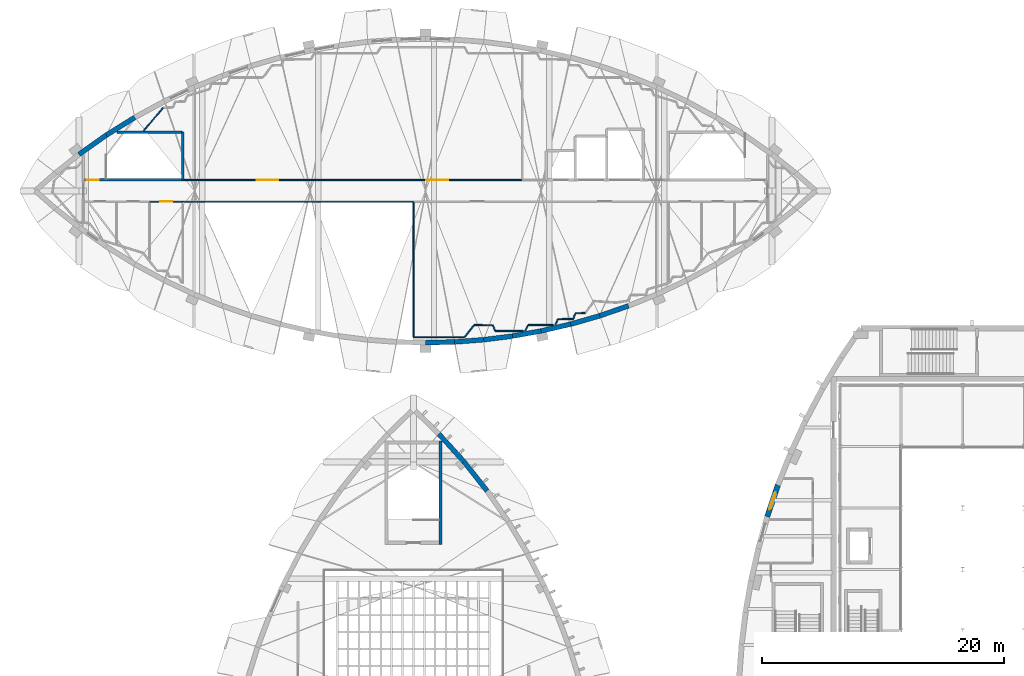
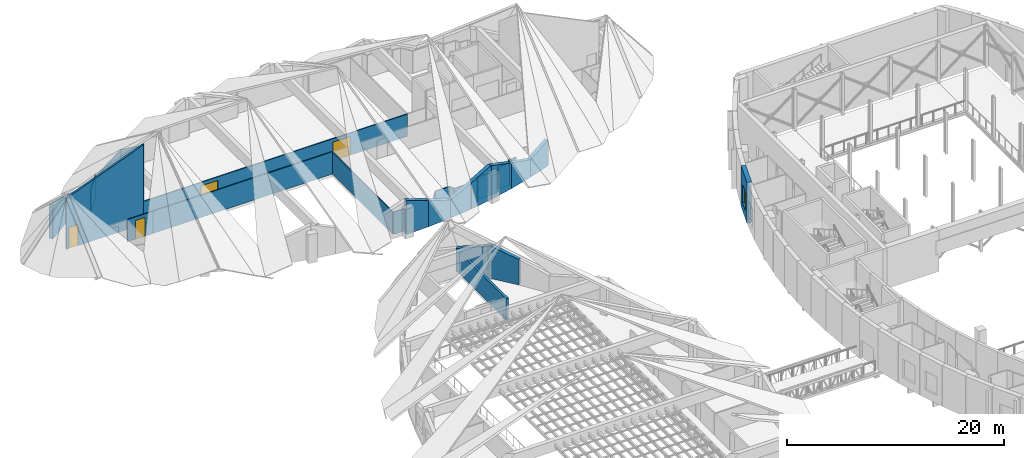
# One storey, part 39 of 56: 32 walls, 4 doors, 1 window, 5 openings.
"""IFC4 building model written with IfcOpenShell, lengths in metres."""

from ifc_helpers import new_model, si_unit, direction, frame, frame_2d, origin, place, context, subcontext, project, spatial, polyline, rectangle, outline, extrude, material, layer, layer_set, type_object, element, fill, save


model = new_model("IFC4")

# Units and contexts
model_context = context("Model", 3, precision=1e-05, world=origin(), true_north=direction((0.0, 1.0)))
body_context = subcontext(model_context, "Body", "Model", "MODEL_VIEW")
ifc_project = project(units=[si_unit("LENGTHUNIT", "METRE"), si_unit("AREAUNIT", "SQUARE_METRE"), si_unit("VOLUMEUNIT", "CUBIC_METRE"), si_unit("PLANEANGLEUNIT", "RADIAN"), si_unit("MASSUNIT", "GRAM", prefix="KILO")], contexts=[model_context])

# Site, building, storey
site_placement = place(None, origin())
site = spatial("IfcSite", under=ifc_project, at=site_placement, CompositionType="ELEMENT")
building_placement = place(site_placement, origin())
building = spatial("IfcBuilding", under=site, at=building_placement, Name="Tide Square Theatres", CompositionType="ELEMENT")
storey_placement = place(building_placement, frame((0.0, 0.0, 10.199951171875)))
storey = spatial("IfcBuildingStorey", under=building, at=storey_placement, Name="L02", CompositionType="ELEMENT", Elevation=10.199951171875)

# Wall
ifc_material_1 = material(Name="Gypsum board on steel studs", Category="steel")
ifc_layer_1 = layer(ifc_material_1, 0.10009765625)
ifc_layer_set_1 = layer_set([ifc_layer_1], Name="Gypsum board on steel studs")
wall_type_1 = type_object("IfcWallType", Name="Partition 100 thick", PredefinedType="PARTITIONING", material=ifc_layer_set_1)
wall_1_placement = place(storey_placement, frame((13.67529296875, 102.768310546875, 0.0), z_axis=(0.0, 0.0, 1.0), x_axis=(0.646433781993, 0.76297009476, 0.0)))
element("IfcWall", 1, at=wall_1_placement, inside=storey, type_object=wall_type_1, Name="Scenery Workshops partition", PredefinedType="PARTITIONING", context=body_context, shape_type="SweptSolid", body=[
    extrude(rectangle(XDim=2.492919921875, YDim=0.10009765625, at=frame_2d((1.24658203125, 0.0))), origin(), (0.0, 0.0, 1.0), 2.5),
])

# Wall, opening, door
wall_2_placement = place(storey_placement, frame((16.89990234375, 96.89990234375, 0.0), z_axis=(0.0, 0.0, 1.0), x_axis=(-1.0, 0.0, 0.0)))
wall_2 = element("IfcWall", 2, at=wall_2_placement, inside=storey, type_object=wall_type_1, Name="Scenery Workshops partition", PredefinedType="PARTITIONING", context=body_context, shape_type="SweptSolid", body=[
    extrude(rectangle(XDim=2.733154296875, YDim=0.10009765625, at=frame_2d((1.36669921875, 0.0))), origin(), (0.0, 0.0, 1.0), 2.5),
])
opening_1_placement = place(wall_2_placement, frame((0.86669921875, 0.0, 0.0)))
opening_1 = element("IfcOpeningElement", 3, at=opening_1_placement, cuts=wall_2, Name="Opening W2-03", PredefinedType="OPENING", context=body_context, shape_type="SweptSolid", body=[
    extrude(rectangle(XDim=1.0, YDim=2.10009765625, at=frame_2d((0.5, 1.050048828125))), frame((0.0, 0.06005859375, 0.0), z_axis=(0.0, -1.0, 0.0), x_axis=(1.0, 0.0, 0.0)), (0.0, 0.0, 1.0), 0.1201171875),
])
ifc_material_2 = material(Name="Hardwood timber", Category="wood")
door_type_1 = type_object("IfcDoorType", Name="Door 1000 x 2100 single leaf", OperationType="NOTDEFINED", PredefinedType="DOOR", material=ifc_material_2)
door_1_placement = place(opening_1_placement, origin())
door_1 = element("IfcDoor", 4, at=door_1_placement, inside=storey, type_object=door_type_1, Name="Scenery Workshops door W2-03 to Accessible WC W", OperationType="SINGLE_SWING_RIGHT", OverallHeight=2.10009765625, OverallWidth=1.0, PredefinedType="DOOR", context=body_context, shape_type="SweptSolid", body=[
    extrude(rectangle(XDim=1.0, YDim=2.10009765625, at=frame_2d((0.5, 1.050048828125))), frame((0.0, 0.02490234375, 0.0), z_axis=(0.0, -1.0, 0.0), x_axis=(1.0, 0.0, 0.0)), (0.0, 0.0, 1.0), 0.050048828125),
])
fill(opening_1, door_1)

# Wall
wall_3_placement = place(storey_placement, frame((36.0, 96.89990234375, 0.0), z_axis=(0.0, 0.0, 1.0), x_axis=(-1.0, 0.0, 0.0)))
element("IfcWall", 5, at=wall_3_placement, inside=storey, type_object=wall_type_1, Name="Scenery Workshops partition", PredefinedType="PARTITIONING", context=body_context, shape_type="SweptSolid", body=[
    extrude(rectangle(XDim=19.10009765625, YDim=0.10009765625, at=frame_2d((9.550048828125, 0.0))), origin(), (0.0, 0.0, 1.0), 2.5),
])

# Wall, openings, doors
wall_4_placement = place(storey_placement, frame((16.929931640625, 98.699951171875, 0.0), z_axis=(0.0, 0.0, 1.0), x_axis=(1.0, 0.0, 0.0)))
wall_4 = element("IfcWall", 6, at=wall_4_placement, inside=storey, type_object=wall_type_1, Name="Scenery Workshops partition", PredefinedType="PARTITIONING", context=body_context, shape_type="SweptSolid", body=[
    extrude(rectangle(XDim=28.070068359375, YDim=0.10009765625, at=frame_2d((14.03515625, 0.0))), origin(), (0.0, 0.0, 1.0), 2.5),
])
opening_2_placement = place(wall_4_placement, frame((20.14501953125, 0.0, 0.0)))
opening_2 = element("IfcOpeningElement", 7, at=opening_2_placement, cuts=wall_4, Name="Opening W2-11", PredefinedType="OPENING", context=body_context, shape_type="SweptSolid", body=[
    extrude(rectangle(XDim=1.800048828125, YDim=2.10009765625, at=frame_2d((0.89990234375, 1.050048828125))), frame((0.0, 0.06005859375, 0.0), z_axis=(0.0, -1.0, 0.0), x_axis=(1.0, 0.0, 0.0)), (0.0, 0.0, 1.0), 0.1201171875),
])
opening_3_placement = place(wall_4_placement, frame((6.094970703125, 0.0, 0.0)))
opening_3 = element("IfcOpeningElement", 8, at=opening_3_placement, cuts=wall_4, Name="Opening W2-12", PredefinedType="OPENING", context=body_context, shape_type="SweptSolid", body=[
    extrude(rectangle(XDim=1.800048828125, YDim=2.10009765625, at=frame_2d((0.89990234375, 1.050048828125))), frame((0.0, 0.06005859375, 0.0), z_axis=(0.0, -1.0, 0.0), x_axis=(1.0, 0.0, 0.0)), (0.0, 0.0, 1.0), 0.1201171875),
])
ifc_material_3 = material(Name="Hardwood timber", Category="wood")
door_type_2 = type_object("IfcDoorType", Name="Door 1800 x 2100 double leaf", OperationType="DOUBLE_DOOR_SINGLE_SWING", PredefinedType="DOOR", material=ifc_material_3)
door_2_placement = place(opening_2_placement, origin())
door_2 = element("IfcDoor", 9, at=door_2_placement, inside=storey, type_object=door_type_2, Name="Scenery Workshops door W2-11 to Workshop Offices", OperationType="DOUBLE_DOOR_SINGLE_SWING", OverallHeight=2.10009765625, OverallWidth=1.800048828125, PredefinedType="DOOR", context=body_context, shape_type="SweptSolid", body=[
    extrude(rectangle(XDim=1.800048828125, YDim=2.10009765625, at=frame_2d((0.89990234375, 1.050048828125))), frame((0.0, 0.02490234375, 0.0), z_axis=(0.0, -1.0, 0.0), x_axis=(1.0, 0.0, 0.0)), (0.0, 0.0, 1.0), 0.050048828125),
])
fill(opening_2, door_2)
door_3_placement = place(opening_3_placement, origin())
door_3 = element("IfcDoor", 10, at=door_3_placement, inside=storey, type_object=door_type_2, Name="Scenery Workshops door W2-12 to Workshop Offices", OperationType="DOUBLE_DOOR_SINGLE_SWING", OverallHeight=2.10009765625, OverallWidth=1.800048828125, PredefinedType="DOOR", context=body_context, shape_type="SweptSolid", body=[
    extrude(rectangle(XDim=1.800048828125, YDim=2.10009765625, at=frame_2d((0.89990234375, 1.050048828125))), frame((0.0, 0.02490234375, 0.0), z_axis=(0.0, -1.0, 0.0), x_axis=(1.0, 0.0, 0.0)), (0.0, 0.0, 1.0), 0.050048828125),
])
fill(opening_3, door_3)

# Walls
wall_5_placement = place(storey_placement, frame((45.10302734375, 86.191650390625, 0.0), z_axis=(0.0, 0.0, 1.0), x_axis=(-0.999999994476, -0.000105108261, 0.0)))
element("IfcWall", 11, at=wall_5_placement, inside=storey, type_object=wall_type_1, Name="Scenery Workshops partition", PredefinedType="PARTITIONING", context=body_context, shape_type="SweptSolid", body=[
    extrude(rectangle(XDim=2.32275390625, YDim=0.10009765625, at=frame_2d((1.161376953125, 0.0))), origin(), (0.0, 0.0, 1.0), 2.5),
])
wall_6_placement = place(storey_placement, frame((42.76806640625, 86.21875, 0.0), z_axis=(0.0, 0.0, 1.0), x_axis=(-0.411833069316, 0.911259306135, 0.0)))
element("IfcWall", 12, at=wall_6_placement, inside=storey, type_object=wall_type_1, Name="Scenery Workshops partition", PredefinedType="PARTITIONING", context=body_context, shape_type="SweptSolid", body=[
    extrude(rectangle(XDim=0.50439453125, YDim=0.10009765625, at=frame_2d((0.252197265625, 0.0))), origin(), (0.0, 0.0, 1.0), 2.5),
])
wall_7_placement = place(storey_placement, frame((42.5302734375, 86.6787109375, 0.0), z_axis=(0.0, 0.0, 1.0), x_axis=(-0.999965662158, 0.00828700825, 0.0)))
element("IfcWall", 13, at=wall_7_placement, inside=storey, type_object=wall_type_1, Name="Scenery Workshops partition", PredefinedType="PARTITIONING", context=body_context, shape_type="SweptSolid", body=[
    extrude(rectangle(XDim=1.50244140625, YDim=0.10009765625, at=frame_2d((0.751220703125, 0.0))), origin(), (0.0, 0.0, 1.0), 2.5),
])
wall_8_placement = place(storey_placement, frame((41.009033203125, 86.667724609375, 0.0), z_axis=(0.0, 0.0, 1.0), x_axis=(-0.626073613346, -0.779763958305, 0.0)))
element("IfcWall", 14, at=wall_8_placement, inside=storey, type_object=wall_type_1, Name="Scenery Workshops partition", PredefinedType="PARTITIONING", context=body_context, shape_type="SweptSolid", body=[
    extrude(rectangle(XDim=1.251708984375, YDim=0.10009765625, at=frame_2d((0.6259765625, 0.0))), origin(), (0.0, 0.0, 1.0), 2.5),
])
wall_9_placement = place(storey_placement, frame((40.205078125, 85.691650390625, 0.0), z_axis=(0.0, 0.0, 1.0), x_axis=(-0.999999998315, -5.8058523e-05, 0.0)))
element("IfcWall", 15, at=wall_9_placement, inside=storey, type_object=wall_type_1, Name="Scenery Workshops partition", PredefinedType="PARTITIONING", context=body_context, shape_type="SweptSolid", body=[
    extrude(rectangle(XDim=4.205078125, YDim=0.10009765625, at=frame_2d((2.1025390625, 0.0))), origin(), (0.0, 0.0, 1.0), 2.5),
])
wall_10_placement = place(storey_placement, frame((36.0, 96.8701171875, 0.0), z_axis=(0.0, 0.0, 1.0), x_axis=(0.0, -1.0, 0.0)))
element("IfcWall", 16, at=wall_10_placement, inside=storey, type_object=wall_type_1, Name="Scenery Workshops partition", PredefinedType="PARTITIONING", context=body_context, shape_type="SweptSolid", body=[
    extrude(rectangle(XDim=11.138671875, YDim=0.10009765625, at=frame_2d((5.5693359375, 0.0))), origin(), (0.0, 0.0, 1.0), 2.5),
])
wall_11_placement = place(storey_placement, frame((47.585693359375, 86.691162109375, 0.0), z_axis=(0.0, 0.0, 1.0), x_axis=(-0.999996746163, -0.002551012108, 0.0)))
element("IfcWall", 17, at=wall_11_placement, inside=storey, type_object=wall_type_1, Name="Scenery Workshops partition", PredefinedType="PARTITIONING", context=body_context, shape_type="SweptSolid", body=[
    extrude(rectangle(XDim=2.10546875, YDim=0.10009765625, at=frame_2d((1.052734375, 0.0))), origin(), (0.0, 0.0, 1.0), 2.5),
])
wall_12_placement = place(storey_placement, frame((45.466552734375, 86.658935546875, 0.0), z_axis=(0.0, 0.0, 1.0), x_axis=(-0.450757019531, -0.892646687858, 0.0)))
element("IfcWall", 18, at=wall_12_placement, inside=storey, type_object=wall_type_1, Name="Scenery Workshops partition", PredefinedType="PARTITIONING", context=body_context, shape_type="SweptSolid", body=[
    extrude(rectangle(XDim=0.49560546875, YDim=0.10009765625, at=frame_2d((0.247802734375, 0.0))), origin(), (0.0, 0.0, 1.0), 2.5),
])
wall_13_placement = place(storey_placement, frame((50.197021484375, 87.691162109375, 0.0), z_axis=(0.0, 0.0, 1.0), x_axis=(-0.999045756938, -0.043675800441, 0.0)))
element("IfcWall", 19, at=wall_13_placement, inside=storey, type_object=wall_type_1, Name="Scenery Workshops partition", PredefinedType="PARTITIONING", context=body_context, shape_type="SweptSolid", body=[
    extrude(rectangle(XDim=0.79931640625, YDim=0.10009765625, at=frame_2d((0.399658203125, 0.0))), origin(), (0.0, 0.0, 1.0), 2.5),
])
wall_14_placement = place(storey_placement, frame((49.388427734375, 87.6279296875, 0.0), z_axis=(0.0, 0.0, 1.0), x_axis=(-0.333123863298, -0.942883074247, 0.0)))
element("IfcWall", 20, at=wall_14_placement, inside=storey, type_object=wall_type_1, Name="Scenery Workshops partition", PredefinedType="PARTITIONING", context=body_context, shape_type="SweptSolid", body=[
    extrude(rectangle(XDim=0.46240234375, YDim=0.10009765625, at=frame_2d((0.231201171875, 0.0))), origin(), (0.0, 0.0, 1.0), 2.5),
])
wall_15_placement = place(storey_placement, frame((49.204345703125, 87.19140625, 0.0), z_axis=(0.0, 0.0, 1.0), x_axis=(-0.999948630127, -0.010135931533, 0.0)))
element("IfcWall", 21, at=wall_15_placement, inside=storey, type_object=wall_type_1, Name="Scenery Workshops partition", PredefinedType="PARTITIONING", context=body_context, shape_type="SweptSolid", body=[
    extrude(rectangle(XDim=1.25244140625, YDim=0.10009765625, at=frame_2d((0.626220703125, 0.0))), origin(), (0.0, 0.0, 1.0), 2.5),
])
wall_16_placement = place(storey_placement, frame((47.939453125, 87.1513671875, 0.0), z_axis=(0.0, 0.0, 1.0), x_axis=(-0.411459676495, -0.91142796458, 0.0)))
element("IfcWall", 22, at=wall_16_placement, inside=storey, type_object=wall_type_1, Name="Scenery Workshops partition", PredefinedType="PARTITIONING", context=body_context, shape_type="SweptSolid", body=[
    extrude(rectangle(XDim=0.46337890625, YDim=0.10009765625, at=frame_2d((0.231689453125, 0.0))), origin(), (0.0, 0.0, 1.0), 2.5),
])
ifc_material_4 = material(Name="Concrete C40", Category="concrete")
ifc_layer_2 = layer(ifc_material_4, 0.39990234375)
ifc_layer_set_2 = layer_set([ifc_layer_2], Name="Concrete C40")
wall_type_2 = type_object("IfcWallType", Name="RC curved wall 400 thick", PredefinedType="SOLIDWALL", material=ifc_layer_set_2)
wall_17_placement = place(storey_placement, frame((42.08984375, 72.968994140625, 0.0), z_axis=(0.0, 0.0, 1.0), x_axis=(-0.620958553355, 0.783843399548, 0.0)))
element("IfcWall", 23, at=wall_17_placement, inside=storey, type_object=wall_type_2, Name="Studio Theatre perimeter wall", PredefinedType="SOLIDWALL", context=body_context, shape_type="SweptSolid", body=[
    extrude(outline(polyline([(0.0, 0.0), (3.0576171875, 0.0), (3.0576171875, 3.554931640625), (3.044189453125, 3.56005859375), (2.885986328125, 3.690185546875), (2.727294921875, 3.643798828125), (0.339111328125, 2.94384765625), (0.0, 2.844482421875), (0.0, 0.0)])), frame((0.0, 0.199951171875, 0.0), z_axis=(0.0, -1.0, 0.0), x_axis=(1.0, 0.0, 0.0)), (0.0, 0.0, 1.0), 0.39990234375),
])
wall_18_placement = place(storey_placement, frame((40.182861328125, 75.37548828125, 0.0), z_axis=(0.0, 0.0, 1.0), x_axis=(-0.67038553216, 0.742012963681, 0.0)))
element("IfcWall", 24, at=wall_18_placement, inside=storey, type_object=wall_type_2, Name="Studio Theatre perimeter wall", PredefinedType="SOLIDWALL", context=body_context, shape_type="SweptSolid", body=[
    extrude(outline(polyline([(0.0, 0.0), (3.101806640625, 0.0), (3.1015625, 2.64990234375), (3.088134765625, 2.65380859375), (0.362548828125, 3.44140625), (0.181884765625, 3.49365234375), (0.0, 3.546142578125), (0.0, 0.0)])), frame((0.0, 0.199951171875, 0.0), z_axis=(0.0, -1.0, 0.0), x_axis=(1.0, 0.0, 0.0)), (0.0, 0.0, 1.0), 0.39990234375),
])
wall_19_placement = place(storey_placement, frame((37.0, 85.231201171875, 0.0), z_axis=(0.0, 0.0, 1.0), x_axis=(0.999683321759, 0.025164582196, 0.0)))
element("IfcWall", 25, at=wall_19_placement, inside=storey, type_object=wall_type_2, Name="Scenery Workshops perimeter wall 014", PredefinedType="SOLIDWALL", context=body_context, shape_type="SweptSolid", body=[
    extrude(outline(polyline([(0.0, 0.0), (2.406005859375, 0.0), (2.406005859375, 2.945068359375), (2.372802734375, 2.95751953125), (0.0625, 3.821533203125), (0.0, 3.844970703125), (0.0, 0.0)])), frame((0.0, 0.199951171875, 0.0), z_axis=(0.0, -1.0, 0.0), x_axis=(1.0, 0.0, 0.0)), (0.0, 0.0, 1.0), 0.39990234375),
])
wall_20_placement = place(storey_placement, frame((39.4052734375, 85.291748046875, 0.0), z_axis=(0.0, 0.0, 1.0), x_axis=(0.997146276918, 0.075493724435, 0.0)))
element("IfcWall", 26, at=wall_20_placement, inside=storey, type_object=wall_type_2, Name="Scenery Workshops perimeter wall 015", PredefinedType="SOLIDWALL", context=body_context, shape_type="SweptSolid", body=[
    extrude(outline(polyline([(0.0, 0.0), (2.406005859375, 0.0), (2.406005859375, 2.04052734375), (2.344970703125, 2.0634765625), (0.0, 2.94140625), (0.0, 0.0)])), frame((0.0, 0.199951171875, 0.0), z_axis=(0.0, -1.0, 0.0), x_axis=(1.0, 0.0, 0.0)), (0.0, 0.0, 1.0), 0.39990234375),
])
wall_21_placement = place(storey_placement, frame((41.804443359375, 85.473388671875, 0.0), z_axis=(0.0, 0.0, 1.0), x_axis=(0.99208939311, 0.125533406227, 0.0)))
element("IfcWall", 27, at=wall_21_placement, inside=storey, type_object=wall_type_2, Name="Scenery Workshops perimeter wall 016", PredefinedType="SOLIDWALL", context=body_context, shape_type="SweptSolid", body=[
    extrude(outline(polyline([(0.0, 0.0), (2.40576171875, 0.0), (2.406005859375, 2.93994140625), (2.339599609375, 2.916259765625), (0.107666015625, 2.08154296875), (0.0, 2.041259765625), (0.0, 0.0)])), frame((0.0, 0.199951171875, 0.0), z_axis=(0.0, -1.0, 0.0), x_axis=(1.0, 0.0, 0.0)), (0.0, 0.0, 1.0), 0.39990234375),
])
wall_22_placement = place(storey_placement, frame((44.191162109375, 85.775390625, 0.0), z_axis=(0.0, 0.0, 1.0), x_axis=(0.984524011381, 0.175249738987, 0.0)))
element("IfcWall", 28, at=wall_22_placement, inside=storey, type_object=wall_type_2, Name="Scenery Workshops perimeter wall 017", PredefinedType="SOLIDWALL", context=body_context, shape_type="SweptSolid", body=[
    extrude(outline(polyline([(0.0, 0.0), (2.406005859375, 0.0), (2.406005859375, 3.80078125), (2.3564453125, 3.8251953125), (2.28515625, 3.79833984375), (0.07763671875, 2.97265625), (0.0, 2.943603515625), (0.0, 0.0)])), frame((0.0, 0.199951171875, 0.0), z_axis=(0.0, -1.0, 0.0), x_axis=(1.0, 0.0, 0.0)), (0.0, 0.0, 1.0), 0.39990234375),
])
wall_23_placement = place(storey_placement, frame((46.559814453125, 86.197021484375, 0.0), z_axis=(0.0, 0.0, 1.0), x_axis=(0.974210649093, 0.225640446716, 0.0)))
element("IfcWall", 29, at=wall_23_placement, inside=storey, type_object=wall_type_2, Name="Scenery Workshops perimeter wall 018", PredefinedType="SOLIDWALL", context=body_context, shape_type="SweptSolid", body=[
    extrude(outline(polyline([(0.0, 0.0), (2.51123046875, 0.0), (2.51123046875, 2.89453125), (0.0859375, 3.766357421875), (0.0, 3.796875), (0.0, 0.0)])), frame((0.0, 0.199951171875, 0.0), z_axis=(0.0, -1.0, 0.0), x_axis=(1.0, 0.0, 0.0)), (0.0, 0.0, 1.0), 0.39990234375),
])
wall_24_placement = place(storey_placement, frame((49.00634765625, 86.763671875, 0.0), z_axis=(0.0, 0.0, 1.0), x_axis=(0.961008605775, 0.276518461637, 0.0)))
element("IfcWall", 30, at=wall_24_placement, inside=storey, type_object=wall_type_2, Name="Scenery Workshops perimeter wall 019", PredefinedType="SOLIDWALL", context=body_context, shape_type="SweptSolid", body=[
    extrude(outline(polyline([(0.0, 0.0), (2.510986328125, 0.0), (2.510986328125, 1.99072265625), (2.47900390625, 2.002197265625), (0.0, 2.890625), (0.0, 0.0)])), frame((0.0, 0.199951171875, 0.0), z_axis=(0.0, -1.0, 0.0), x_axis=(1.0, 0.0, 0.0)), (0.0, 0.0, 1.0), 0.39990234375),
])
wall_25_placement = place(storey_placement, frame((51.41943359375, 87.4580078125, 0.0), z_axis=(0.0, 0.0, 1.0), x_axis=(0.94514546406, 0.326649738659, 0.0)))
element("IfcWall", 31, at=wall_25_placement, inside=storey, type_object=wall_type_2, Name="Scenery Workshops perimeter wall 020", PredefinedType="SOLIDWALL", context=body_context, shape_type="SweptSolid", body=[
    extrude(outline(polyline([(0.0, 0.0), (2.51123046875, 0.0), (2.510986328125, 2.875732421875), (2.382080078125, 2.8359375), (0.189697265625, 2.050048828125), (0.0, 1.987060546875), (0.0, 0.0)])), frame((0.0, 0.199951171875, 0.0), z_axis=(0.0, -1.0, 0.0), x_axis=(1.0, 0.0, 0.0)), (0.0, 0.0, 1.0), 0.39990234375),
])
wall_26_placement = place(storey_placement, frame((12.9384765625, 103.870849609375, 0.0), z_axis=(0.0, 0.0, 1.0), x_axis=(-0.84912946359, -0.528184772653, 0.0)))
element("IfcWall", 32, at=wall_26_placement, inside=storey, type_object=wall_type_2, Name="Scenery Workshops perimeter wall 052", PredefinedType="SOLIDWALL", context=body_context, shape_type="SweptSolid", body=[
    extrude(outline(polyline([(0.0, 0.0), (2.77197265625, 0.0), (2.771728515625, 2.844970703125), (2.450927734375, 2.765625), (0.525146484375, 2.140380859375), (0.0, 1.969970703125), (0.0, 0.0)])), frame((0.0, 0.199951171875, 0.0), z_axis=(0.0, -1.0, 0.0), x_axis=(1.0, 0.0, 0.0)), (0.0, 0.0, 1.0), 0.39990234375),
])
wall_27_placement = place(storey_placement, frame((10.584716796875, 102.40673828125, 0.0), z_axis=(0.0, 0.0, 1.0), x_axis=(-0.817070367038, -0.57653795652, 0.0)))
element("IfcWall", 33, at=wall_27_placement, inside=storey, type_object=wall_type_2, Name="Scenery Workshops perimeter wall 053", PredefinedType="SOLIDWALL", context=body_context, shape_type="SweptSolid", body=[
    extrude(outline(polyline([(0.0, 0.0), (2.77197265625, 0.0), (2.772216796875, 3.554931640625), (2.743896484375, 3.567626953125), (2.602783203125, 3.693359375), (2.461669921875, 3.6474609375), (0.36669921875, 2.967529296875), (0.0, 2.848388671875), (0.0, 0.0)])), frame((0.0, 0.199951171875, 0.0), z_axis=(0.0, -1.0, 0.0), x_axis=(1.0, 0.0, 0.0)), (0.0, 0.0, 1.0), 0.39990234375),
])

# Wall, opening, window
ifc_material_5 = material(Name="Concrete C40", Category="concrete")
ifc_layer_3 = layer(ifc_material_5, 0.449951171875)
ifc_layer_set_3 = layer_set([ifc_layer_3], Name="Concrete C40")
wall_type_3 = type_object("IfcWallType", Name="RC curved wall 450 thick", PredefinedType="SOLIDWALL", material=ifc_layer_set_3)
wall_28_placement = place(storey_placement, frame((66.153076171875, 73.44677734375, 0.0), z_axis=(0.0, 0.0, 1.0), x_axis=(-0.318887614688, -0.947792534893, 0.0)))
wall_28 = element("IfcWall", 34, at=wall_28_placement, inside=storey, type_object=wall_type_3, Name="Main Theatre perimeter wall", PredefinedType="SOLIDWALL", context=body_context, shape_type="SweptSolid", body=[
    extrude(rectangle(XDim=2.75244140625, YDim=0.449951171875, at=frame_2d((1.376220703125, 0.0))), origin(), (0.0, 0.0, 1.0), 4.60009765625),
])
opening_4_placement = place(wall_28_placement, frame((0.626220703125, 0.0, 0.89990234375)))
opening_4 = element("IfcOpeningElement", 35, at=opening_4_placement, cuts=wall_28, Name="Opening WN-01", PredefinedType="OPENING", context=body_context, shape_type="SweptSolid", body=[
    extrude(rectangle(XDim=1.5, YDim=2.10009765625, at=frame_2d((0.75, 1.050048828125))), frame((0.0, 0.23486328125, 0.0), z_axis=(0.0, -1.0, 0.0), x_axis=(1.0, 0.0, 0.0)), (0.0, 0.0, 1.0), 0.469970703125),
])
ifc_material_6 = material(Name="Aluminium with laminated glass", Category="aluminium")
window_type = type_object("IfcWindowType", Name="Window 1500 x 2100", PartitioningType="SINGLE_PANEL", PredefinedType="WINDOW", material=ifc_material_6)
window_placement = place(opening_4_placement, origin())
window = element("IfcWindow", 36, at=window_placement, inside=storey, type_object=window_type, Name="Main Theatre window", OverallHeight=2.10009765625, OverallWidth=1.5, PartitioningType="SINGLE_PANEL", PredefinedType="WINDOW", context=body_context, shape_type="SweptSolid", body=[
    extrude(rectangle(XDim=1.5, YDim=2.10009765625, at=frame_2d((0.75, 1.050048828125))), frame((0.0, 0.030029296875, 0.0), z_axis=(0.0, -1.0, 0.0), x_axis=(1.0, 0.0, 0.0)), (0.0, 0.0, 1.0), 0.06005859375),
])
fill(opening_4, window)

# Walls
ifc_material_7 = material(Name="Concrete C40", Category="concrete")
ifc_layer_4 = layer(ifc_material_7, 0.199951171875)
ifc_layer_set_4 = layer_set([ifc_layer_4], Name="Concrete C40")
wall_type_4 = type_object("IfcWallType", Name="RC shear wall 200 thick", PredefinedType="SHEAR", material=ifc_layer_set_4)
wall_29_placement = place(storey_placement, frame((11.448974609375, 102.64990234375, 0.0), z_axis=(0.0, 0.0, 1.0), x_axis=(1.0, 0.0, 0.0)))
element("IfcWall", 37, at=wall_29_placement, inside=storey, type_object=wall_type_4, Name="Scenery Workshops stair enclosure wall", PredefinedType="SHEAR", context=body_context, shape_type="SweptSolid", body=[
    extrude(outline(polyline([(0.0, 0.0), (5.450927734375, 0.0), (5.450927734375, 5.932373046875), (4.82080078125, 5.483642578125), (4.753173828125, 5.431640625), (2.564697265625, 3.75244140625), (2.483154296875, 3.68994140625), (2.40185546875, 3.6201171875), (0.63671875, 2.93896484375), (0.560546875, 2.959228515625), (0.484375, 2.947509765625), (0.0, 2.87158203125), (0.0, 0.0)])), frame((0.0, 0.10009765625, 0.0), z_axis=(0.0, -1.0, 0.0), x_axis=(1.0, 0.0, 0.0)), (0.0, 0.0, 1.0), 0.199951171875),
])
wall_30_placement = place(storey_placement, frame((16.89990234375, 102.64990234375, 0.0), z_axis=(0.0, 0.0, 1.0), x_axis=(0.0, -1.0, 0.0)))
element("IfcWall", 38, at=wall_30_placement, inside=storey, type_object=wall_type_4, Name="Scenery Workshops stair enclosure wall", PredefinedType="SHEAR", context=body_context, shape_type="SweptSolid", body=[
    extrude(outline(polyline([(0.0, 0.0), (3.949951171875, 0.0), (3.949951171875, 8.973876953125), (3.7685546875, 8.78515625), (3.645751953125, 8.6572265625), (3.52294921875, 8.536865234375), (2.25341796875, 7.609619140625), (1.95849609375, 7.39404296875), (1.66357421875, 7.182373046875), (0.0, 5.93603515625), (0.0, 0.0)])), frame((0.0, 0.10009765625, 0.0), z_axis=(0.0, -1.0, 0.0), x_axis=(1.0, 0.0, 0.0)), (0.0, 0.0, 1.0), 0.199951171875),
])

# Wall, opening, door
wall_31_placement = place(storey_placement, frame((16.89990234375, 98.699951171875, 0.0), z_axis=(0.0, 0.0, 1.0), x_axis=(-1.0, 0.0, 0.0)))
wall_31 = element("IfcWall", 39, at=wall_31_placement, inside=storey, type_object=wall_type_4, Name="Scenery Workshops stair enclosure wall", PredefinedType="SHEAR", context=body_context, shape_type="SweptSolid", body=[
    extrude(outline(polyline([(0.0, 0.0), (8.199951171875, 0.0), (8.199951171875, 5.845458984375), (8.18701171875, 5.8486328125), (8.08837890625, 5.881103515625), (7.9716796875, 5.8994140625), (7.8955078125, 5.911376953125), (7.8193359375, 5.890869140625), (0.0, 8.908447265625), (0.0, 0.0)])), frame((0.0, 0.10009765625, 0.0), z_axis=(0.0, -1.0, 0.0), x_axis=(1.0, 0.0, 0.0)), (0.0, 0.0, 1.0), 0.199951171875),
])
opening_5_placement = place(wall_31_placement, frame((6.949951171875, 0.0, 0.0)))
opening_5 = element("IfcOpeningElement", 40, at=opening_5_placement, cuts=wall_31, Name="Opening W2-14", PredefinedType="OPENING", context=body_context, shape_type="SweptSolid", body=[
    extrude(rectangle(XDim=1.0, YDim=2.39990234375, at=frame_2d((0.5, 1.199951171875))), frame((0.0, 0.10986328125, 0.0), z_axis=(0.0, -1.0, 0.0), x_axis=(1.0, 0.0, 0.0)), (0.0, 0.0, 1.0), 0.219970703125),
])
ifc_material_8 = material(Name="Hardwood timber", Category="wood")
door_type_3 = type_object("IfcDoorType", Name="Door 1000 x 2400 single leaf", OperationType="NOTDEFINED", PredefinedType="DOOR", material=ifc_material_8)
door_4_placement = place(opening_5_placement, origin())
door_4 = element("IfcDoor", 41, at=door_4_placement, inside=storey, type_object=door_type_3, Name="Scenery Workshops door W2-14 stair door to Stair 1", OperationType="SINGLE_SWING_RIGHT", OverallHeight=2.39990234375, OverallWidth=1.0, PredefinedType="DOOR", context=body_context, shape_type="SweptSolid", body=[
    extrude(rectangle(XDim=1.0, YDim=2.39990234375, at=frame_2d((0.5, 1.199951171875))), frame((0.0, 0.02490234375, 0.0), z_axis=(0.0, -1.0, 0.0), x_axis=(1.0, 0.0, 0.0)), (0.0, 0.0, 1.0), 0.050048828125),
])
fill(opening_5, door_4)

# Wall
ifc_material_9 = material(Name="Concrete C40", Category="concrete")
ifc_layer_5 = layer(ifc_material_9, 0.25)
ifc_layer_set_5 = layer_set([ifc_layer_5], Name="Concrete C40")
wall_type_5 = type_object("IfcWallType", Name="RC shear wall 250 thick", PredefinedType="SHEAR", material=ifc_layer_set_5)
wall_32_placement = place(storey_placement, frame((38.22509765625, 68.550048828125, 0.0), z_axis=(0.0, 0.0, 1.0), x_axis=(0.0, 1.0, 0.0)))
element("IfcWall", 42, at=wall_32_placement, inside=storey, type_object=wall_type_5, Name="Studio Theatre Stair S1 shaft wall", PredefinedType="SHEAR", context=body_context, shape_type="SweptSolid", body=[
    extrude(rectangle(XDim=8.550048828125, YDim=0.25, at=frame_2d((4.27490234375, 0.0))), origin(), (0.0, 0.0, 1.0), 2.400146484375),
])

save(model, "model.ifc")
